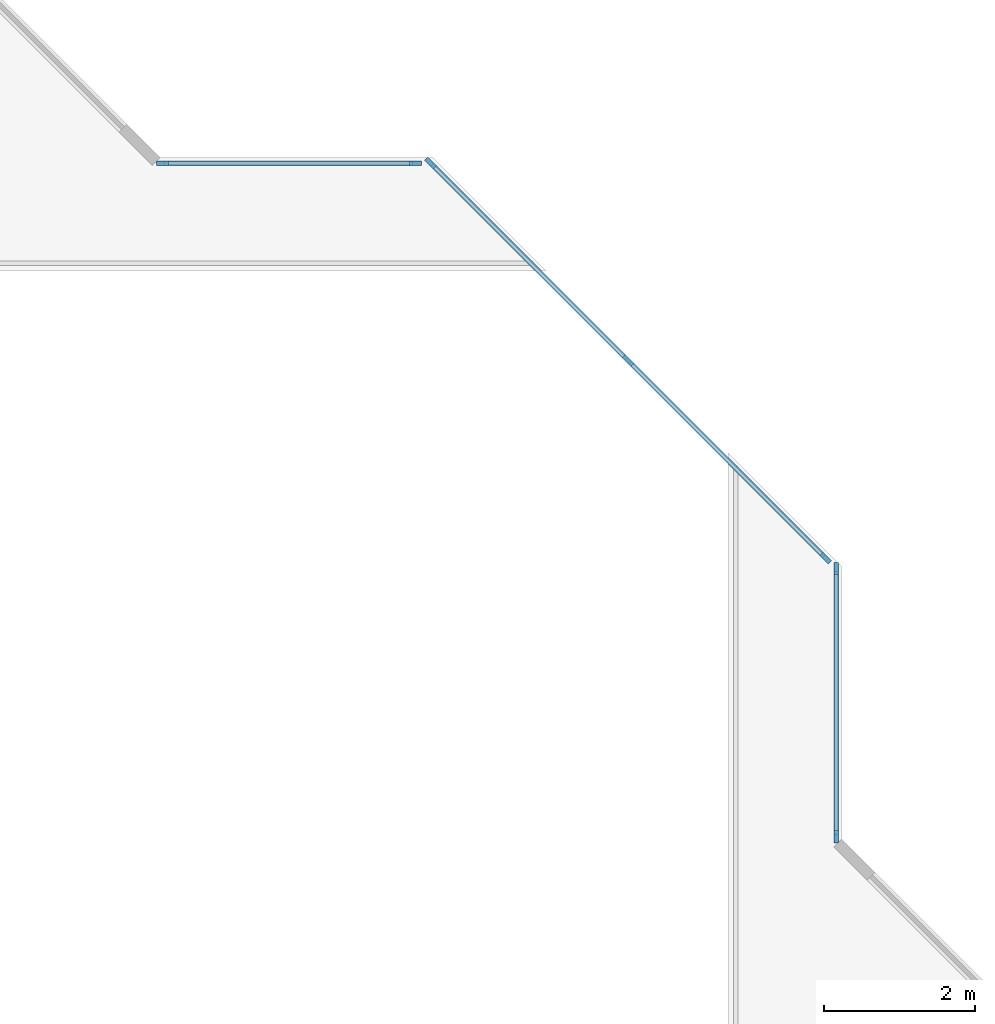
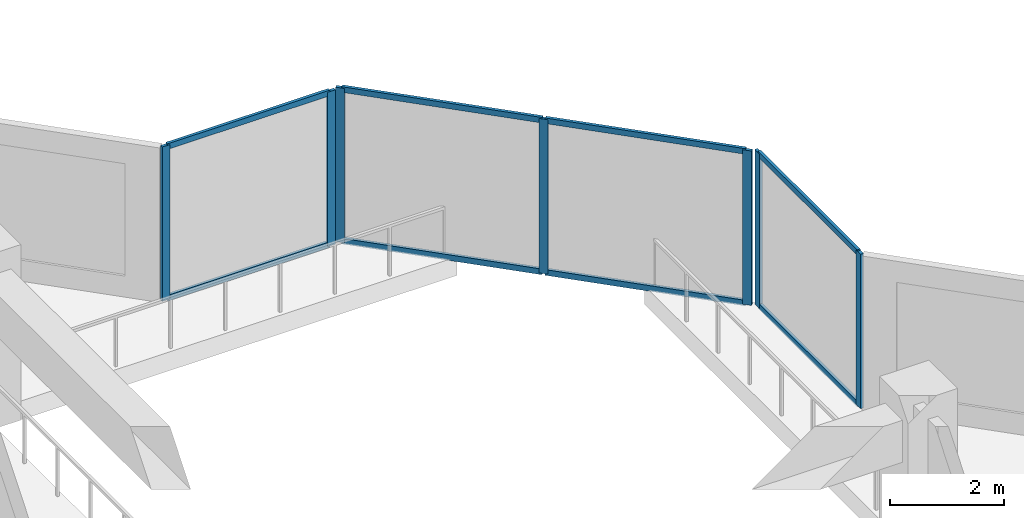
# One storey, part 2 of 15: 15 members, 3 elements without a shape of their own.
"""IFC4 building model written with IfcOpenShell, lengths in metres."""

from ifc_helpers import new_model, si_unit, direction, frame, origin, origin_2d, place, context, subcontext, project, spatial, rectangle, extrude, material, layer, layer_set, material_profile, profile_set, type_object, element, aggregate, save


model = new_model("IFC4")

# Units and contexts
model_context = context("Model", 3, precision=1e-05, world=origin(), true_north=direction((0.0, 1.0)))
body_context = subcontext(model_context, "Body", "Model", "MODEL_VIEW")
ifc_project = project(units=[si_unit("LENGTHUNIT", "METRE"), si_unit("AREAUNIT", "SQUARE_METRE"), si_unit("VOLUMEUNIT", "CUBIC_METRE"), si_unit("PLANEANGLEUNIT", "RADIAN"), si_unit("MASSUNIT", "GRAM", prefix="KILO")], contexts=[model_context])

# Site, building, storey
site_placement = place(None, origin())
site = spatial("IfcSite", under=ifc_project, at=site_placement, CompositionType="ELEMENT")
building_placement = place(site_placement, origin())
building = spatial("IfcBuilding", under=site, at=building_placement, Name="Chenar Terraces", CompositionType="ELEMENT")
storey_placement = place(building_placement, frame((0.0, 0.0, 136.89990234375)))
storey = spatial("IfcBuildingStorey", under=building, at=storey_placement, Name="L32", CompositionType="ELEMENT", Elevation=136.89990234375)

# Curtain wall, members
ifc_material_1 = material(Name="Aluminium framed glazing", Category="aluminium")
ifc_layer = layer(ifc_material_1, 0.14990234375)
ifc_layer_set = layer_set([ifc_layer], Name="Aluminium framed glazing")
curtain_wall_type = type_object("IfcCurtainWallType", Name="Atrium curtain wall", PredefinedType="NOTDEFINED", material=ifc_layer_set)
placement = place(storey_placement, origin())
curtain_wall_1 = element("IfcCurtainWall", 1, at=placement, inside=storey, type_object=curtain_wall_type, Name="Atrium curtain wall", PredefinedType="NOTDEFINED")
ifc_material_2 = material(Name="Aluminium", Category="aluminium")
ifc_material_profile_1 = material_profile(ifc_material_2, rectangle(XDim=0.06005859375, YDim=0.159912109375, at=origin_2d()), Name="Atrium glazing mullion 60 x 160")
ifc_profile_set_1 = profile_set([ifc_material_profile_1], Name="Aluminium")
member_type_1 = type_object("IfcMemberType", Name="Atrium glazing mullion 60 x 160", PredefinedType="MULLION", material=ifc_profile_set_1)
member_1_placement = place(storey_placement, frame((37.425048828125, 28.530029296875, 0.0), z_axis=(0.0, 0.0, 1.0), x_axis=(-1.0, 0.0, 0.0)))
member_1 = element("IfcMember", 2, at=member_1_placement, type_object=member_type_1, Name="CW1-1 mullion 1", PredefinedType="MULLION", context=body_context, shape_type="SweptSolid", body=[
    extrude(rectangle(XDim=0.06005859375, YDim=0.159912109375, at=origin_2d()), origin(), (0.0, 0.0, 1.0), 3.300048828125),
])
member_2_placement = place(storey_placement, frame((37.425048828125, 32.070068359375, 0.0), z_axis=(0.0, 0.0, 1.0), x_axis=(-1.0, 0.0, 0.0)))
member_2 = element("IfcMember", 3, at=member_2_placement, type_object=member_type_1, Name="CW1-1 mullion 2", PredefinedType="MULLION", context=body_context, shape_type="SweptSolid", body=[
    extrude(rectangle(XDim=0.06005859375, YDim=0.159912109375, at=origin_2d()), origin(), (0.0, 0.0, 1.0), 3.300048828125),
])

curtain_wall_2 = element("IfcCurtainWall", 4, at=placement, inside=storey, type_object=curtain_wall_type, Name="Atrium curtain wall", PredefinedType="NOTDEFINED")
member_3_placement = place(storey_placement, frame((37.284423828125, 32.209716796875, 0.0), z_axis=(0.0, 0.0, 1.0), x_axis=(-0.707106781187, -0.707106781187, 0.0)))
member_3 = element("IfcMember", 5, at=member_3_placement, type_object=member_type_1, Name="CW1-2 mullion 1", PredefinedType="MULLION", context=body_context, shape_type="SweptSolid", body=[
    extrude(rectangle(XDim=0.06005859375, YDim=0.159912109375, at=origin_2d()), origin(), (0.0, 0.0, 1.0), 3.300048828125),
])
member_4_placement = place(storey_placement, frame((34.67626953125, 34.817626953125, 0.0), z_axis=(0.0, 0.0, 1.0), x_axis=(-0.707106781187, -0.707106781187, 0.0)))
member_4 = element("IfcMember", 6, at=member_4_placement, type_object=member_type_1, Name="CW1-2 mullion 2", PredefinedType="MULLION", context=body_context, shape_type="SweptSolid", body=[
    extrude(rectangle(XDim=0.06005859375, YDim=0.159912109375, at=origin_2d()), origin(), (0.0, 0.0, 1.0), 3.300048828125),
])
member_5_placement = place(storey_placement, frame((32.068115234375, 37.42578125, 0.0), z_axis=(0.0, 0.0, 1.0), x_axis=(-0.707106781187, -0.707106781187, 0.0)))
member_5 = element("IfcMember", 7, at=member_5_placement, type_object=member_type_1, Name="CW1-2 mullion 3", PredefinedType="MULLION", context=body_context, shape_type="SweptSolid", body=[
    extrude(rectangle(XDim=0.06005859375, YDim=0.159912109375, at=origin_2d()), origin(), (0.0, 0.0, 1.0), 3.300048828125),
])

curtain_wall_3 = element("IfcCurtainWall", 8, at=placement, inside=storey, type_object=curtain_wall_type, Name="Atrium curtain wall", PredefinedType="NOTDEFINED")
member_6_placement = place(storey_placement, frame((31.8701171875, 37.425048828125, 0.0), z_axis=(0.0, 0.0, 1.0), x_axis=(0.0, -1.0, 0.0)))
member_6 = element("IfcMember", 9, at=member_6_placement, type_object=member_type_1, Name="CW1-3 mullion 1", PredefinedType="MULLION", context=body_context, shape_type="SweptSolid", body=[
    extrude(rectangle(XDim=0.06005859375, YDim=0.159912109375, at=origin_2d()), origin(), (0.0, 0.0, 1.0), 3.300048828125),
])
member_7_placement = place(storey_placement, frame((28.530029296875, 37.425048828125, 0.0), z_axis=(0.0, 0.0, 1.0), x_axis=(0.0, -1.0, 0.0)))
member_7 = element("IfcMember", 10, at=member_7_placement, type_object=member_type_1, Name="CW1-3 mullion 2", PredefinedType="MULLION", context=body_context, shape_type="SweptSolid", body=[
    extrude(rectangle(XDim=0.06005859375, YDim=0.159912109375, at=origin_2d()), origin(), (0.0, 0.0, 1.0), 3.300048828125),
])

# Member
ifc_material_3 = material(Name="Aluminium", Category="aluminium")
ifc_material_profile_2 = material_profile(ifc_material_3, rectangle(XDim=0.06005859375, YDim=0.1201171875, at=origin_2d()), Name="Atrium glazing transom 60 x 120")
ifc_profile_set_2 = profile_set([ifc_material_profile_2], Name="Aluminium")
member_type_2 = type_object("IfcMemberType", Name="Atrium glazing transom 60 x 120", PredefinedType="USERDEFINED", material=ifc_profile_set_2)
member_8_placement = place(storey_placement, frame((37.425048828125, 28.56005859375, 0.030029296875), z_axis=(0.0, 1.0, 0.0), x_axis=(-1.0, 0.0, 0.0)))
member_8 = element("IfcMember", 11, at=member_8_placement, type_object=member_type_2, Name="CW1-1 transom 1.1", ObjectType="TRANSOM", PredefinedType="USERDEFINED", context=body_context, shape_type="SweptSolid", body=[
    extrude(rectangle(XDim=0.06005859375, YDim=0.1201171875, at=origin_2d()), origin(), (0.0, 0.0, 1.0), 3.47998046875),
])

member_9_placement = place(storey_placement, frame((37.425048828125, 28.56005859375, 3.27001953125), z_axis=(0.0, 1.0, 0.0), x_axis=(-1.0, 0.0, 0.0)))
member_9 = element("IfcMember", 12, at=member_9_placement, type_object=member_type_2, Name="CW1-1 transom 1.2", ObjectType="TRANSOM", PredefinedType="USERDEFINED", context=body_context, shape_type="SweptSolid", body=[
    extrude(rectangle(XDim=0.06005859375, YDim=0.1201171875, at=origin_2d()), origin(), (0.0, 0.0, 1.0), 3.47998046875),
])

aggregate(curtain_wall_1, [member_1, member_2, member_8, member_9])

member_10_placement = place(storey_placement, frame((37.26318359375, 32.230712890625, 0.030029296875), z_axis=(-0.707106781187, 0.707106781187, 0.0), x_axis=(-0.707106781187, -0.707106781187, 0.0)))
member_10 = element("IfcMember", 13, at=member_10_placement, type_object=member_type_2, Name="CW1-2 transom 1.1", ObjectType="TRANSOM", PredefinedType="USERDEFINED", context=body_context, shape_type="SweptSolid", body=[
    extrude(rectangle(XDim=0.06005859375, YDim=0.1201171875, at=origin_2d()), origin(), (0.0, 0.0, 1.0), 3.62841796875),
])

member_11_placement = place(storey_placement, frame((37.26318359375, 32.230712890625, 3.27001953125), z_axis=(-0.707106781187, 0.707106781187, 0.0), x_axis=(-0.707106781187, -0.707106781187, 0.0)))
member_11 = element("IfcMember", 14, at=member_11_placement, type_object=member_type_2, Name="CW1-2 transom 1.2", ObjectType="TRANSOM", PredefinedType="USERDEFINED", context=body_context, shape_type="SweptSolid", body=[
    extrude(rectangle(XDim=0.06005859375, YDim=0.1201171875, at=origin_2d()), origin(), (0.0, 0.0, 1.0), 3.62841796875),
])

member_12_placement = place(storey_placement, frame((34.655029296875, 34.8388671875, 0.030029296875), z_axis=(-0.707106781187, 0.707106781187, 0.0), x_axis=(-0.707106781187, -0.707106781187, 0.0)))
member_12 = element("IfcMember", 15, at=member_12_placement, type_object=member_type_2, Name="CW1-2 transom 2.1", ObjectType="TRANSOM", PredefinedType="USERDEFINED", context=body_context, shape_type="SweptSolid", body=[
    extrude(rectangle(XDim=0.06005859375, YDim=0.1201171875, at=origin_2d()), origin(), (0.0, 0.0, 1.0), 3.62841796875),
])

member_13_placement = place(storey_placement, frame((34.655029296875, 34.8388671875, 3.27001953125), z_axis=(-0.707106781187, 0.707106781187, 0.0), x_axis=(-0.707106781187, -0.707106781187, 0.0)))
member_13 = element("IfcMember", 16, at=member_13_placement, type_object=member_type_2, Name="CW1-2 transom 2.2", ObjectType="TRANSOM", PredefinedType="USERDEFINED", context=body_context, shape_type="SweptSolid", body=[
    extrude(rectangle(XDim=0.06005859375, YDim=0.1201171875, at=origin_2d()), origin(), (0.0, 0.0, 1.0), 3.62841796875),
])

aggregate(curtain_wall_2, [member_3, member_4, member_5, member_10, member_11, member_12, member_13])

member_14_placement = place(storey_placement, frame((31.840087890625, 37.425048828125, 0.030029296875), z_axis=(-1.0, 0.0, 0.0), x_axis=(0.0, -1.0, 0.0)))
member_14 = element("IfcMember", 17, at=member_14_placement, type_object=member_type_2, Name="CW1-3 transom 1.1", ObjectType="TRANSOM", PredefinedType="USERDEFINED", context=body_context, shape_type="SweptSolid", body=[
    extrude(rectangle(XDim=0.06005859375, YDim=0.1201171875, at=origin_2d()), origin(), (0.0, 0.0, 1.0), 3.280029296875),
])

member_15_placement = place(storey_placement, frame((31.840087890625, 37.425048828125, 3.27001953125), z_axis=(-1.0, 0.0, 0.0), x_axis=(0.0, -1.0, 0.0)))
member_15 = element("IfcMember", 18, at=member_15_placement, type_object=member_type_2, Name="CW1-3 transom 1.2", ObjectType="TRANSOM", PredefinedType="USERDEFINED", context=body_context, shape_type="SweptSolid", body=[
    extrude(rectangle(XDim=0.06005859375, YDim=0.1201171875, at=origin_2d()), origin(), (0.0, 0.0, 1.0), 3.280029296875),
])

aggregate(curtain_wall_3, [member_6, member_7, member_14, member_15])

save(model, "model.ifc")
